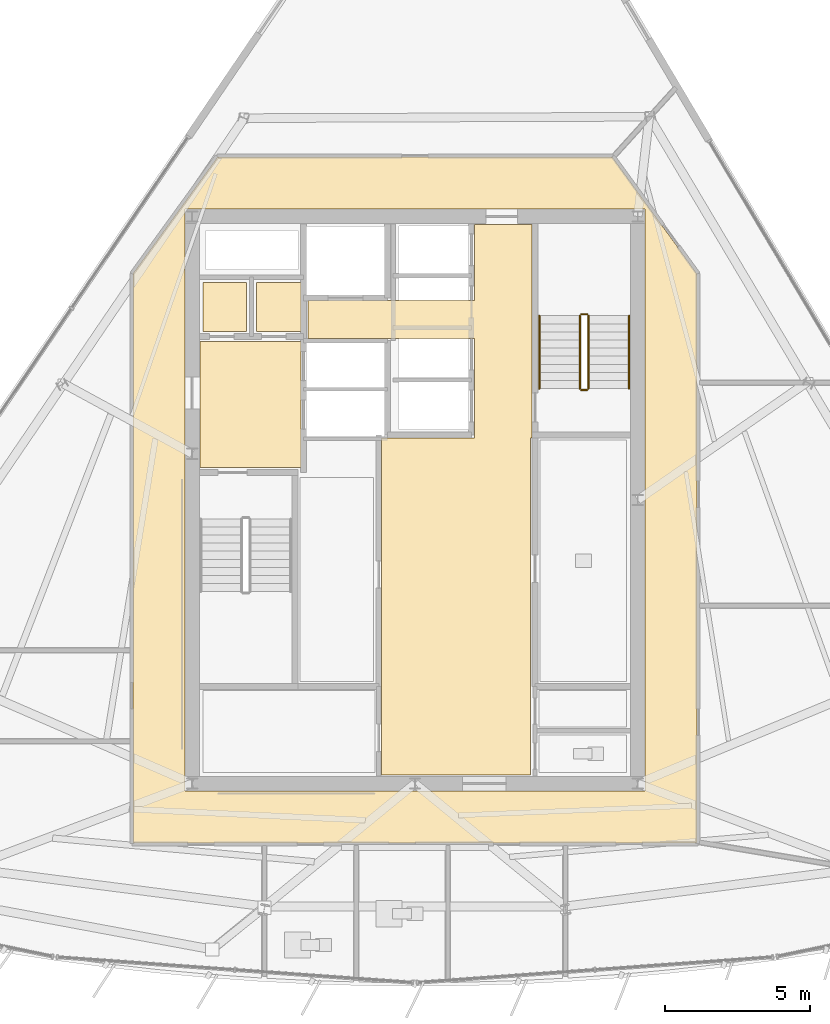
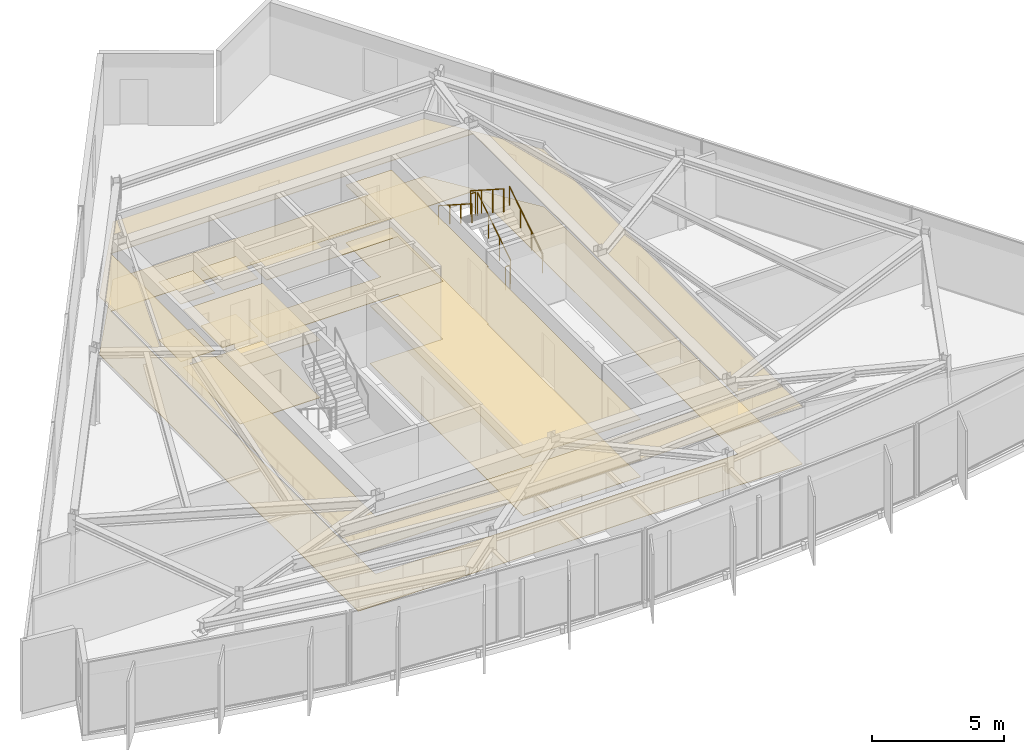
# One storey, part 10 of 12: 10 coverings, 6 railings.
"""IFC4 building model written with IfcOpenShell, lengths in metres."""

from ifc_helpers import new_model, si_unit, direction, frame, origin, origin_2d, place, context, subcontext, project, spatial, polyline, circle, outline, extrude, material, layer, layer_set, type_object, element, save


model = new_model("IFC4")

# Units and contexts
model_context = context("Model", 3, precision=1e-05, world=origin(), true_north=direction((0.0, 1.0)))
body_context = subcontext(model_context, "Body", "Model", "MODEL_VIEW")
ifc_project = project(units=[si_unit("LENGTHUNIT", "METRE"), si_unit("AREAUNIT", "SQUARE_METRE"), si_unit("VOLUMEUNIT", "CUBIC_METRE"), si_unit("PLANEANGLEUNIT", "RADIAN"), si_unit("MASSUNIT", "GRAM", prefix="KILO")], contexts=[model_context])

# Site, building, storey
site_placement = place(None, origin())
site = spatial("IfcSite", under=ifc_project, at=site_placement, CompositionType="ELEMENT")
building_placement = place(site_placement, origin())
building = spatial("IfcBuilding", under=site, at=building_placement, Name="Savorim Split Tower", CompositionType="ELEMENT")
storey_placement = place(building_placement, frame((0.0, 0.0, 268.800048828125)))
storey = spatial("IfcBuildingStorey", under=building, at=storey_placement, Name="L71", CompositionType="ELEMENT", Elevation=268.800048828125)

# Coverings
ifc_material_1 = material(Name="Mineral Fibre Acoustic Ceiling")
ifc_layer_1 = layer(ifc_material_1, 0.02490234375)
ifc_layer_set_1 = layer_set([ifc_layer_1], Name="COV-CEIL-25")
covering_type_1 = type_object("IfcCoveringType", Name="COV-CEIL-25", PredefinedType="CEILING", material=ifc_layer_set_1)
covering_1_placement = place(storey_placement, frame((0.0, 0.0, 2.669921875)))
element("IfcCovering", 1, at=covering_1_placement, inside=storey, type_object=covering_type_1, Name="L71 Firefighting Lift Lobby Acoustic Ceiling", PredefinedType="CEILING", context=body_context, shape_type="SweptSolid", body=[
    extrude(outline(polyline([(-7.429931640625, 5.8701171875), (-7.429931640625, 1.530029296875), (-3.929931640625, 1.530029296875), (-3.929931640625, 5.8701171875), (-7.429931640625, 5.8701171875)])), origin(), (0.0, 0.0, 1.0), 0.025146484375),
])
covering_2_placement = place(storey_placement, frame((0.0, 0.0, 2.669921875)))
element("IfcCovering", 2, at=covering_2_placement, inside=storey, type_object=covering_type_1, Name="L71 Electrical Riser Acoustic Ceiling", PredefinedType="CEILING", context=body_context, shape_type="SweptSolid", body=[
    extrude(outline(polyline([(-7.320068359375, 7.919921875), (-7.320068359375, 6.22998046875), (-5.830078125, 6.22998046875), (-5.830078125, 7.919921875), (-7.320068359375, 7.919921875)])), origin(), (0.0, 0.0, 1.0), 0.025146484375),
])
covering_3_placement = place(storey_placement, frame((0.0, 0.0, 2.669921875)))
element("IfcCovering", 3, at=covering_3_placement, inside=storey, type_object=covering_type_1, Name="L71 Telecom Riser Acoustic Ceiling", PredefinedType="CEILING", context=body_context, shape_type="SweptSolid", body=[
    extrude(outline(polyline([(-5.469970703125, 7.919921875), (-5.469970703125, 6.22998046875), (-3.929931640625, 6.22998046875), (-3.929931640625, 7.919921875), (-5.469970703125, 7.919921875)])), origin(), (0.0, 0.0, 1.0), 0.025146484375),
])
covering_4_placement = place(storey_placement, frame((0.0, 0.0, 2.669921875)))
element("IfcCovering", 4, at=covering_4_placement, inside=storey, type_object=covering_type_1, Name="L71 Lift Lobby Acoustic Ceiling", PredefinedType="CEILING", context=body_context, shape_type="SweptSolid", body=[
    extrude(outline(polyline([(2.050048828125, 2.550048828125), (-1.14990234375, 2.550048828125), (-1.14990234375, -9.10009765625), (4.0, -9.10009765625), (4.0, 2.550048828125), (4.050048828125, 2.550048828125), (4.050048828125, 5.97998046875), (4.050048828125, 7.300048828125), (4.050048828125, 9.929931640625), (2.050048828125, 9.929931640625), (2.050048828125, 7.300048828125), (-3.699951171875, 7.300048828125), (-3.699951171875, 5.97998046875), (2.050048828125, 5.97998046875), (2.050048828125, 2.550048828125)])), origin(), (0.0, 0.0, 1.0), 0.025146484375),
])
covering_5_placement = place(storey_placement, frame((0.0, 0.0, 2.669921875)))
element("IfcCovering", 5, at=covering_5_placement, inside=storey, type_object=covering_type_1, Name="L71 Corridor Acoustic Ceiling", PredefinedType="CEILING", context=body_context, shape_type="SweptSolid", body=[
    extrude(outline(polyline([(6.809326171875, 12.2490234375), (6.8046875, 12.249755859375), (6.800048828125, 12.25), (-6.800048828125, 12.25), (-6.8046875, 12.249755859375), (-6.809326171875, 12.2490234375), (-6.81396484375, 12.248046875), (-6.818359375, 12.24658203125), (-6.82275390625, 12.244384765625), (-6.826904296875, 12.2421875), (-6.830810546875, 12.239501953125), (-6.834228515625, 12.236328125), (-6.83740234375, 12.23291015625), (-6.840576171875, 12.229248046875), (-9.740478515625, 8.229248046875), (-9.743408203125, 8.22509765625), (-9.74560546875, 8.22021484375), (-9.74755859375, 8.21533203125), (-9.748779296875, 8.21044921875), (-9.749755859375, 8.205078125), (-9.75, 8.199951171875), (-9.75, -11.39990234375), (-9.749755859375, -11.40478515625), (-9.7490234375, -11.409912109375), (-9.747802734375, -11.41455078125), (-9.74609375, -11.419189453125), (-9.744140625, -11.423583984375), (-9.74169921875, -11.427734375), (-9.73876953125, -11.431640625), (-9.7353515625, -11.435302734375), (-9.731689453125, -11.438720703125), (-9.727783203125, -11.441650390625), (-9.7236328125, -11.444091796875), (-9.718994140625, -11.4462890625), (-9.714599609375, -11.44775390625), (-9.709716796875, -11.448974609375), (-9.704833984375, -11.44970703125), (-9.699951171875, -11.449951171875), (9.699951171875, -11.449951171875), (9.704833984375, -11.44970703125), (9.709716796875, -11.448974609375), (9.714599609375, -11.44775390625), (9.718994140625, -11.4462890625), (9.7236328125, -11.444091796875), (9.727783203125, -11.441650390625), (9.731689453125, -11.438720703125), (9.7353515625, -11.435302734375), (9.73876953125, -11.431640625), (9.74169921875, -11.427734375), (9.744140625, -11.423583984375), (9.74609375, -11.419189453125), (9.747802734375, -11.41455078125), (9.7490234375, -11.409912109375), (9.749755859375, -11.40478515625), (9.75, -11.39990234375), (9.75, 8.199951171875), (9.749755859375, 8.205078125), (9.748779296875, 8.21044921875), (9.74755859375, 8.21533203125), (9.74560546875, 8.22021484375), (9.743408203125, 8.22509765625), (9.740478515625, 8.229248046875), (6.840576171875, 12.229248046875), (6.83740234375, 12.23291015625), (6.834228515625, 12.236328125), (6.830810546875, 12.239501953125), (6.826904296875, 12.2421875), (6.82275390625, 12.244384765625), (6.818359375, 12.24658203125), (6.81396484375, 12.248046875), (6.809326171875, 12.2490234375)]), holes=[polyline([(-7.949951171875, 10.449951171875), (-7.949951171875, -9.64990234375), (7.949951171875, -9.64990234375), (7.949951171875, 10.449951171875), (-7.949951171875, 10.449951171875)])]), origin(), (0.0, 0.0, 1.0), 0.025146484375),
])
ifc_material_2 = material(Name="Porcelain Stoneware Flooring", Category="masonry")
ifc_layer_2 = layer(ifc_material_2, 0.02001953125)
ifc_layer_set_2 = layer_set([ifc_layer_2], Name="COV-FLOR-20")
covering_type_2 = type_object("IfcCoveringType", Name="COV-FLOR-20", PredefinedType="FLOORING", material=ifc_layer_set_2)
covering_6_placement = place(storey_placement, origin())
element("IfcCovering", 6, at=covering_6_placement, inside=storey, type_object=covering_type_2, Name="L71 Firefighting Lift Lobby Porcelain Flooring", PredefinedType="FLOORING", context=body_context, shape_type="SweptSolid", body=[
    extrude(outline(polyline([(-7.429931640625, 5.8701171875), (-7.429931640625, 1.530029296875), (-3.929931640625, 1.530029296875), (-3.929931640625, 5.8701171875), (-7.429931640625, 5.8701171875)])), origin(), (0.0, 0.0, 1.0), 0.02001953125),
])
covering_7_placement = place(storey_placement, origin())
element("IfcCovering", 7, at=covering_7_placement, inside=storey, type_object=covering_type_2, Name="L71 Electrical Riser Porcelain Flooring", PredefinedType="FLOORING", context=body_context, shape_type="SweptSolid", body=[
    extrude(outline(polyline([(-7.320068359375, 7.919921875), (-7.320068359375, 6.22998046875), (-5.830078125, 6.22998046875), (-5.830078125, 7.919921875), (-7.320068359375, 7.919921875)])), origin(), (0.0, 0.0, 1.0), 0.02001953125),
])
covering_8_placement = place(storey_placement, origin())
element("IfcCovering", 8, at=covering_8_placement, inside=storey, type_object=covering_type_2, Name="L71 Telecom Riser Porcelain Flooring", PredefinedType="FLOORING", context=body_context, shape_type="SweptSolid", body=[
    extrude(outline(polyline([(-5.469970703125, 7.919921875), (-5.469970703125, 6.22998046875), (-3.929931640625, 6.22998046875), (-3.929931640625, 7.919921875), (-5.469970703125, 7.919921875)])), origin(), (0.0, 0.0, 1.0), 0.02001953125),
])
covering_9_placement = place(storey_placement, origin())
element("IfcCovering", 9, at=covering_9_placement, inside=storey, type_object=covering_type_2, Name="L71 Lift Lobby Porcelain Flooring", PredefinedType="FLOORING", context=body_context, shape_type="SweptSolid", body=[
    extrude(outline(polyline([(2.050048828125, 2.550048828125), (-1.14990234375, 2.550048828125), (-1.14990234375, -9.10009765625), (4.0, -9.10009765625), (4.0, 2.550048828125), (4.050048828125, 2.550048828125), (4.050048828125, 5.97998046875), (4.050048828125, 7.300048828125), (4.050048828125, 9.929931640625), (2.050048828125, 9.929931640625), (2.050048828125, 7.300048828125), (-3.699951171875, 7.300048828125), (-3.699951171875, 5.97998046875), (2.050048828125, 5.97998046875), (2.050048828125, 2.550048828125)])), origin(), (0.0, 0.0, 1.0), 0.02001953125),
])
covering_10_placement = place(storey_placement, origin())
element("IfcCovering", 10, at=covering_10_placement, inside=storey, type_object=covering_type_2, Name="L71 Corridor Porcelain Flooring", PredefinedType="FLOORING", context=body_context, shape_type="SweptSolid", body=[
    extrude(outline(polyline([(6.809326171875, 12.2490234375), (6.8046875, 12.249755859375), (6.800048828125, 12.25), (-6.800048828125, 12.25), (-6.8046875, 12.249755859375), (-6.809326171875, 12.2490234375), (-6.81396484375, 12.248046875), (-6.818359375, 12.24658203125), (-6.82275390625, 12.244384765625), (-6.826904296875, 12.2421875), (-6.830810546875, 12.239501953125), (-6.834228515625, 12.236328125), (-6.83740234375, 12.23291015625), (-6.840576171875, 12.229248046875), (-9.740478515625, 8.229248046875), (-9.743408203125, 8.22509765625), (-9.74560546875, 8.22021484375), (-9.74755859375, 8.21533203125), (-9.748779296875, 8.21044921875), (-9.749755859375, 8.205078125), (-9.75, 8.199951171875), (-9.75, -11.39990234375), (-9.749755859375, -11.40478515625), (-9.7490234375, -11.409912109375), (-9.747802734375, -11.41455078125), (-9.74609375, -11.419189453125), (-9.744140625, -11.423583984375), (-9.74169921875, -11.427734375), (-9.73876953125, -11.431640625), (-9.7353515625, -11.435302734375), (-9.731689453125, -11.438720703125), (-9.727783203125, -11.441650390625), (-9.7236328125, -11.444091796875), (-9.718994140625, -11.4462890625), (-9.714599609375, -11.44775390625), (-9.709716796875, -11.448974609375), (-9.704833984375, -11.44970703125), (-9.699951171875, -11.449951171875), (9.699951171875, -11.449951171875), (9.704833984375, -11.44970703125), (9.709716796875, -11.448974609375), (9.714599609375, -11.44775390625), (9.718994140625, -11.4462890625), (9.7236328125, -11.444091796875), (9.727783203125, -11.441650390625), (9.731689453125, -11.438720703125), (9.7353515625, -11.435302734375), (9.73876953125, -11.431640625), (9.74169921875, -11.427734375), (9.744140625, -11.423583984375), (9.74609375, -11.419189453125), (9.747802734375, -11.41455078125), (9.7490234375, -11.409912109375), (9.749755859375, -11.40478515625), (9.75, -11.39990234375), (9.75, 8.199951171875), (9.749755859375, 8.205078125), (9.748779296875, 8.21044921875), (9.74755859375, 8.21533203125), (9.74560546875, 8.22021484375), (9.743408203125, 8.22509765625), (9.740478515625, 8.229248046875), (6.840576171875, 12.229248046875), (6.83740234375, 12.23291015625), (6.834228515625, 12.236328125), (6.830810546875, 12.239501953125), (6.826904296875, 12.2421875), (6.82275390625, 12.244384765625), (6.818359375, 12.24658203125), (6.81396484375, 12.248046875), (6.809326171875, 12.2490234375)]), holes=[polyline([(-7.949951171875, 10.449951171875), (-7.949951171875, -9.64990234375), (7.949951171875, -9.64990234375), (7.949951171875, 10.449951171875), (-7.949951171875, 10.449951171875)])]), origin(), (0.0, 0.0, 1.0), 0.02001953125),
])

# Railings
ifc_material_3 = material(Name="Galvanised Painted Steel Balustrade", Category="steel")
railing_type_1 = type_object("IfcRailingType", Name="RLG-HR-900", PredefinedType="HANDRAIL", material=ifc_material_3)
railing_1_placement = place(storey_placement, frame((7.39990234375, 4.25, 0.179931640625)))
element("IfcRailing", 11, at=railing_1_placement, inside=storey, type_object=railing_type_1, Name="L71 ST-2 stair handrail 1", PredefinedType="HANDRAIL", context=body_context, shape_type="SweptSolid", body=[
    extrude(circle(Radius=0.02392578125, at=origin_2d()), frame((0.0, 0.0, 0.8759765625), z_axis=(0.0, 0.841162588446, 0.540782303519), x_axis=(-1.0, 0.0, 0.0)), (0.0, 0.0, 1.0), 2.995849609375),
    extrude(circle(Radius=0.02099609375, at=origin_2d()), origin(), (0.0, 0.0, 1.0), 0.851806640625),
    extrude(circle(Radius=0.02099609375, at=origin_2d()), frame((0.0, 0.840087890625, 0.5400390625)), (0.0, 0.0, 1.0), 0.851806640625),
    extrude(circle(Radius=0.02099609375, at=origin_2d()), frame((0.0, 1.679931640625, 1.080078125)), (0.0, 0.0, 1.0), 0.851806640625),
    extrude(circle(Radius=0.02099609375, at=origin_2d()), frame((0.0, 2.52001953125, 1.6201171875)), (0.0, 0.0, 1.0), 0.851806640625),
])
railing_2_placement = place(storey_placement, frame((4.300048828125, 6.77001953125, 1.97998046875)))
element("IfcRailing", 12, at=railing_2_placement, inside=storey, type_object=railing_type_1, Name="L71 ST-2 stair handrail 2", PredefinedType="HANDRAIL", context=body_context, shape_type="SweptSolid", body=[
    extrude(circle(Radius=0.02392578125, at=origin_2d()), frame((0.0, 0.0, 0.8759765625), z_axis=(0.0, -0.841199657755, 0.540724639528), x_axis=(1.0, 0.0, 0.0)), (0.0, 0.0, 1.0), 2.995849609375),
    extrude(circle(Radius=0.02099609375, at=origin_2d()), origin(), (0.0, 0.0, 1.0), 0.851806640625),
    extrude(circle(Radius=0.02099609375, at=origin_2d()), frame((0.0, -0.840087890625, 0.5400390625)), (0.0, 0.0, 1.0), 0.851806640625),
    extrude(circle(Radius=0.02099609375, at=origin_2d()), frame((0.0, -1.679931640625, 1.079833984375)), (0.0, 0.0, 1.0), 0.851806640625),
    extrude(circle(Radius=0.02099609375, at=origin_2d()), frame((0.0, -2.52001953125, 1.619873046875)), (0.0, 0.0, 1.0), 0.851806640625),
])
railing_type_2 = type_object("IfcRailingType", Name="RLG-STG-1100", PredefinedType="BALUSTRADE", material=ifc_material_3)
railing_3_placement = place(storey_placement, frame((6.0, 4.25, 0.179931640625)))
element("IfcRailing", 13, at=railing_3_placement, inside=storey, type_object=railing_type_2, Name="L71 ST-2 stair guard 1", PredefinedType="BALUSTRADE", context=body_context, shape_type="SweptSolid", body=[
    extrude(circle(Radius=0.02392578125, at=origin_2d()), frame((0.0, 0.0, 1.076171875), z_axis=(0.0, 0.841162588446, 0.540782303519), x_axis=(-1.0, 0.0, 0.0)), (0.0, 0.0, 1.0), 2.995849609375),
    extrude(circle(Radius=0.02099609375, at=origin_2d()), origin(), (0.0, 0.0, 1.0), 1.052001953125),
    extrude(circle(Radius=0.02099609375, at=origin_2d()), frame((0.0, 0.840087890625, 0.5400390625)), (0.0, 0.0, 1.0), 1.052001953125),
    extrude(circle(Radius=0.02099609375, at=origin_2d()), frame((0.0, 1.679931640625, 1.080078125)), (0.0, 0.0, 1.0), 1.052001953125),
    extrude(circle(Radius=0.02099609375, at=origin_2d()), frame((0.0, 2.52001953125, 1.6201171875)), (0.0, 0.0, 1.0), 1.052001953125),
])
railing_4_placement = place(storey_placement, frame((5.949951171875, 6.820068359375, 1.800048828125)))
element("IfcRailing", 14, at=railing_4_placement, inside=storey, type_object=railing_type_2, Name="L71 ST-2 stair guard 2", PredefinedType="BALUSTRADE", context=body_context, shape_type="SweptSolid", body=[
    extrude(circle(Radius=0.02392578125, at=origin_2d()), frame((0.0, 0.0, 1.076171875), z_axis=(-1.0, 0.0, 0.0), x_axis=(0.0, -1.0, 0.0)), (0.0, 0.0, 1.0), 0.199951171875),
    extrude(circle(Radius=0.02099609375, at=origin_2d()), origin(), (0.0, 0.0, 1.0), 1.052001953125),
    extrude(circle(Radius=0.02099609375, at=origin_2d()), frame((-0.199951171875, 0.0, 0.0)), (0.0, 0.0, 1.0), 1.052001953125),
])
railing_5_placement = place(storey_placement, frame((5.699951171875, 6.77001953125, 1.97998046875)))
element("IfcRailing", 15, at=railing_5_placement, inside=storey, type_object=railing_type_2, Name="L71 ST-2 stair guard 3", PredefinedType="BALUSTRADE", context=body_context, shape_type="SweptSolid", body=[
    extrude(circle(Radius=0.02392578125, at=origin_2d()), frame((0.0, 0.0, 1.076171875), z_axis=(0.0, -0.841199657755, 0.540724639528), x_axis=(1.0, 0.0, 0.0)), (0.0, 0.0, 1.0), 2.995849609375),
    extrude(circle(Radius=0.02099609375, at=origin_2d()), origin(), (0.0, 0.0, 1.0), 1.052001953125),
    extrude(circle(Radius=0.02099609375, at=origin_2d()), frame((0.0, -0.840087890625, 0.5400390625)), (0.0, 0.0, 1.0), 1.052001953125),
    extrude(circle(Radius=0.02099609375, at=origin_2d()), frame((0.0, -1.679931640625, 1.079833984375)), (0.0, 0.0, 1.0), 1.052001953125),
    extrude(circle(Radius=0.02099609375, at=origin_2d()), frame((0.0, -2.52001953125, 1.619873046875)), (0.0, 0.0, 1.0), 1.052001953125),
])
railing_6_placement = place(storey_placement, frame((5.949951171875, 4.199951171875, 0.0)))
element("IfcRailing", 16, at=railing_6_placement, inside=storey, type_object=railing_type_2, Name="L71 ST-2 stair guard 4", PredefinedType="BALUSTRADE", context=body_context, shape_type="SweptSolid", body=[
    extrude(circle(Radius=0.02392578125, at=origin_2d()), frame((0.0, 0.0, 1.076171875), z_axis=(-1.0, 0.0, 0.0), x_axis=(0.0, -1.0, 0.0)), (0.0, 0.0, 1.0), 0.199951171875),
    extrude(circle(Radius=0.02099609375, at=origin_2d()), origin(), (0.0, 0.0, 1.0), 1.052001953125),
    extrude(circle(Radius=0.02099609375, at=origin_2d()), frame((-0.199951171875, 0.0, 0.0)), (0.0, 0.0, 1.0), 1.052001953125),
])

save(model, "model.ifc")
